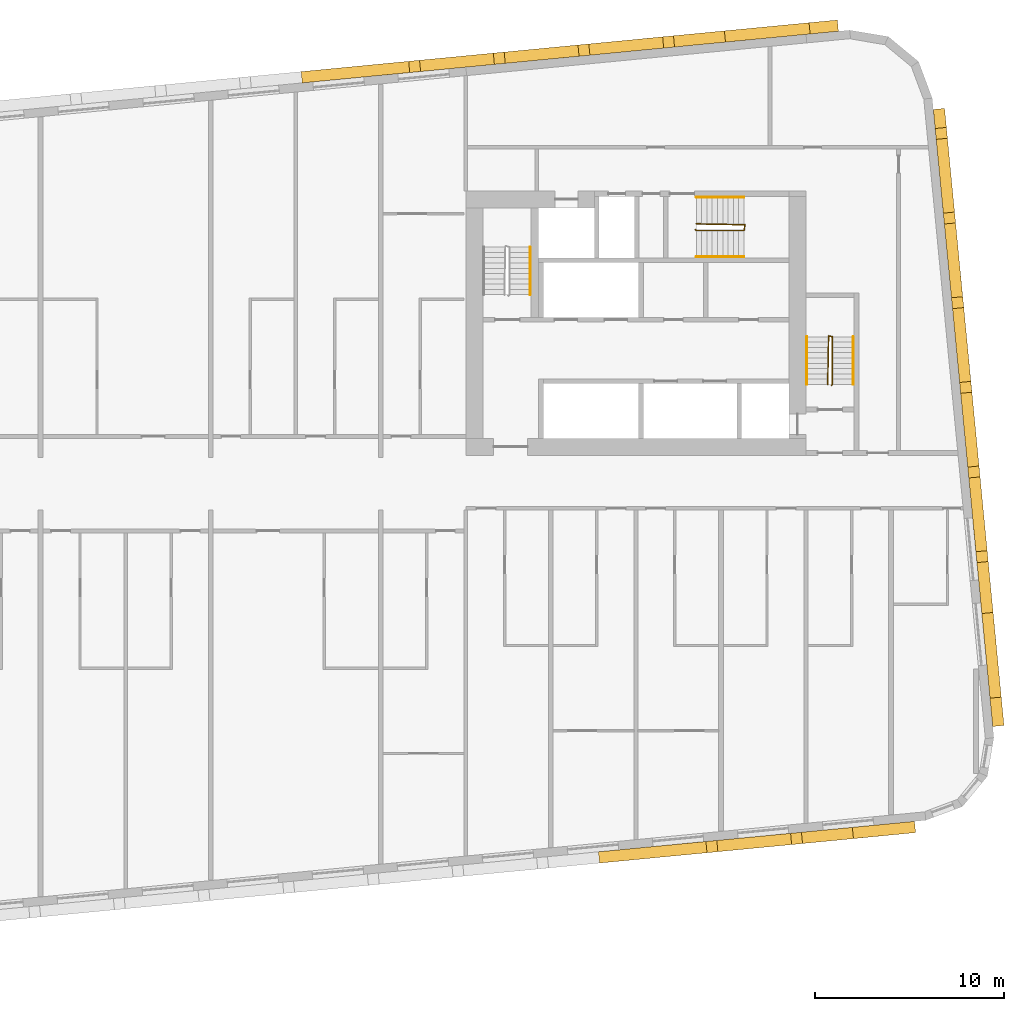
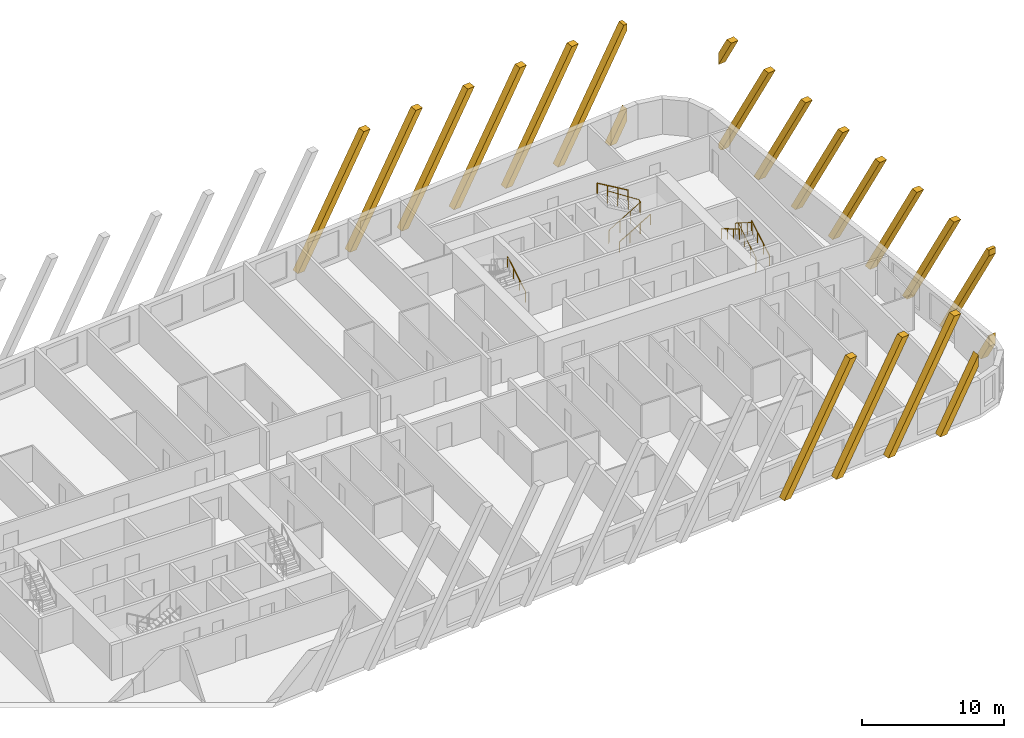
# One storey, part 13 of 13: 20 coverings, 7 railings.
"""IFC4 building model written with IfcOpenShell, lengths in metres."""

from ifc_helpers import new_model, si_unit, direction, frame, origin, origin_2d, place, context, subcontext, project, spatial, polyline, rectangle, circle, outline, extrude, material, material_profile, profile_set, type_object, element, save


model = new_model("IFC4")

# Units and contexts
model_context = context("Model", 3, precision=1e-05, world=origin(), true_north=direction((0.0, 1.0)))
body_context = subcontext(model_context, "Body", "Model", "MODEL_VIEW")
ifc_project = project(units=[si_unit("LENGTHUNIT", "METRE"), si_unit("AREAUNIT", "SQUARE_METRE"), si_unit("VOLUMEUNIT", "CUBIC_METRE"), si_unit("PLANEANGLEUNIT", "RADIAN"), si_unit("MASSUNIT", "GRAM", prefix="KILO")], contexts=[model_context])

# Site, building, storey
site_placement = place(None, origin())
site = spatial("IfcSite", under=ifc_project, at=site_placement, CompositionType="ELEMENT")
building_placement = place(site_placement, origin())
building = spatial("IfcBuilding", under=site, at=building_placement, Name="Kajstack Hotel Tower", CompositionType="ELEMENT")
storey_placement = place(building_placement, frame((0.0, 0.0, 196.60009765625)))
storey = spatial("IfcBuildingStorey", under=building, at=storey_placement, Name="L47", CompositionType="ELEMENT", Elevation=196.60009765625)

# Coverings
ifc_material_1 = material(Name="Terracotta", Category="masonry")
ifc_material_profile = material_profile(ifc_material_1, rectangle(XDim=0.60009765625, YDim=0.5, at=origin_2d()), Name="Terracotta-clad concrete baguette 500 x 600")
ifc_profile_set = profile_set([ifc_material_profile], Name="Terracotta")
covering_type = type_object("IfcCoveringType", Name="BAGUETTE 500x600", PredefinedType="CLADDING", material=ifc_profile_set)
for number, where, z_axis, x_axis, name in (
    (1, (20.515869140625, -19.477294921875, 0.0), (0.095634862357, -0.995416482233, 0.0), (0.995416482233, 0.095634862357, 0.0), "Baguette L47-04-055"),
    (2, (24.9951171875, -19.0458984375, 0.0), (0.095634862357, -0.995416482233, 0.0), (0.995416482233, 0.095634862357, 0.0), "Baguette L47-04-059"),
    (3, (29.474365234375, -18.61474609375, 0.0), (0.095634862357, -0.995416482233, 0.0), (0.995416482233, 0.095634862357, 0.0), "Baguette L47-04-063"),
):
    element("IfcCovering", number, at=place(storey_placement, frame(where, z_axis=z_axis, x_axis=x_axis)), inside=storey, type_object=covering_type, Name=name, PredefinedType="CLADDING", context=body_context, shape_type="SweptSolid", body=[
        extrude(outline(polyline([(5.7158203125, 9.89990234375), (0.0, 0.0), (0.577392578125, 0.0), (6.293212890625, 9.89990234375), (5.7158203125, 9.89990234375)])), origin(), (0.0, 0.0, 1.0), 0.599853515625),
    ])
covering_1_placement = place(storey_placement, frame((33.95361328125, -18.183349609375, 0.0), z_axis=(0.096038073607, -0.995377661201, 0.0), x_axis=(0.995377661201, 0.096038073607, 0.0)))
element("IfcCovering", 4, at=covering_1_placement, inside=storey, type_object=covering_type, Name="Baguette L47-04-067", PredefinedType="CLADDING", context=body_context, shape_type="SweptSolid", body=[
    extrude(outline(polyline([(0.577392578125, 0.0), (3.304443359375, 4.723388671875), (3.304443359375, 5.723388671875), (0.0, 0.0), (0.577392578125, 0.0)])), origin(), (0.0, 0.0, 1.0), 0.599853515625),
])
covering_2_placement = place(storey_placement, frame((41.380859375, -12.846923828125, 0.0), z_axis=(0.995377661201, 0.096038073607, 0.0), x_axis=(-0.096038073607, 0.995377661201, 0.0)))
element("IfcCovering", 5, at=covering_2_placement, inside=storey, type_object=covering_type, Name="Baguette L47-08-003", PredefinedType="CLADDING", context=body_context, shape_type="SweptSolid", body=[
    extrude(outline(polyline([(1.50439453125, 0.0), (0.0, 2.605712890625), (0.0, 1.605712890625), (0.927001953125, 0.0), (1.50439453125, 0.0)])), origin(), (0.0, 0.0, 1.0), 0.599853515625),
])
covering_3_placement = place(storey_placement, frame((41.380859375, -12.846923828125, 0.0), z_axis=(0.995377661201, 0.096038073607, 0.0), x_axis=(-0.096038073607, 0.995377661201, 0.0)))
element("IfcCovering", 6, at=covering_3_placement, inside=storey, type_object=covering_type, Name="Baguette L47-08-007", PredefinedType="CLADDING", context=body_context, shape_type="SweptSolid", body=[
    extrude(outline(polyline([(0.28857421875, 9.89990234375), (0.0, 9.89990234375), (0.0, 9.39990234375), (5.427001953125, 0.0), (6.00439453125, 0.0), (0.28857421875, 9.89990234375)])), origin(), (0.0, 0.0, 1.0), 0.599853515625),
])
covering_4_placement = place(storey_placement, frame((40.97705078125, -8.655029296875, 0.0), z_axis=(0.995381412265, 0.095999188106, 0.0), x_axis=(-0.095999188106, 0.995381412265, 0.0)))
element("IfcCovering", 7, at=covering_4_placement, inside=storey, type_object=covering_type, Name="Baguette L47-08-011", PredefinedType="CLADDING", context=body_context, shape_type="SweptSolid", body=[
    extrude(outline(polyline([(0.0, 9.89990234375), (5.7158203125, 0.0), (6.293212890625, 0.0), (0.577392578125, 9.89990234375), (0.0, 9.89990234375)])), origin(), (0.0, 0.0, 1.0), 0.60009765625),
])
covering_5_placement = place(storey_placement, frame((40.5458984375, -4.175537109375, 0.0), z_axis=(0.995416482233, 0.095634862357, 0.0), x_axis=(-0.095634862357, 0.995416482233, 0.0)))
element("IfcCovering", 8, at=covering_5_placement, inside=storey, type_object=covering_type, Name="Baguette L47-08-015", PredefinedType="CLADDING", context=body_context, shape_type="SweptSolid", body=[
    extrude(outline(polyline([(0.0, 9.89990234375), (5.7158203125, 0.0), (6.293212890625, 0.0), (0.577392578125, 9.89990234375), (0.0, 9.89990234375)])), origin(), (0.0, 0.0, 1.0), 0.599853515625),
])
covering_6_placement = place(storey_placement, frame((40.114501953125, 0.3037109375, 0.0), z_axis=(0.995420202011, 0.095596137095, 0.0), x_axis=(-0.095596137095, 0.995420202011, 0.0)))
element("IfcCovering", 9, at=covering_6_placement, inside=storey, type_object=covering_type, Name="Baguette L47-08-019", PredefinedType="CLADDING", context=body_context, shape_type="SweptSolid", body=[
    extrude(outline(polyline([(0.0, 9.89990234375), (5.7158203125, 0.0), (6.293212890625, 0.0), (0.577392578125, 9.89990234375), (0.0, 9.89990234375)])), origin(), (0.0, 0.0, 1.0), 0.60009765625),
])
for number, where, z_axis, x_axis, name in (
    (10, (39.683349609375, 4.782958984375, 0.0), (0.995416482233, 0.095634862357, 0.0), (-0.095634862357, 0.995416482233, 0.0), "Baguette L47-08-023"),
    (11, (39.251953125, 9.26220703125, 0.0), (0.995377661201, 0.096038073607, 0.0), (-0.096038073607, 0.995377661201, 0.0), "Baguette L47-08-027"),
):
    element("IfcCovering", number, at=place(storey_placement, frame(where, z_axis=z_axis, x_axis=x_axis)), inside=storey, type_object=covering_type, Name=name, PredefinedType="CLADDING", context=body_context, shape_type="SweptSolid", body=[
        extrude(outline(polyline([(0.0, 9.89990234375), (5.7158203125, 0.0), (6.293212890625, 0.0), (0.577392578125, 9.89990234375), (0.0, 9.89990234375)])), origin(), (0.0, 0.0, 1.0), 0.599853515625),
    ])
covering_7_placement = place(storey_placement, frame((38.820556640625, 13.741455078125, 0.0), z_axis=(0.995381412265, 0.095999188106, 0.0), x_axis=(-0.095999188106, 0.995381412265, 0.0)))
element("IfcCovering", 12, at=covering_7_placement, inside=storey, type_object=covering_type, Name="Baguette L47-08-031", PredefinedType="CLADDING", context=body_context, shape_type="SweptSolid", body=[
    extrude(outline(polyline([(5.7158203125, 0.0), (6.088623046875, 0.0), (6.088623046875, 0.354248046875), (0.577392578125, 9.89990234375), (0.0, 9.89990234375), (5.7158203125, 0.0)])), origin(), (0.0, 0.0, 1.0), 0.60009765625),
])
covering_8_placement = place(storey_placement, frame((38.389404296875, 18.220703125, 0.0), z_axis=(0.995377661201, 0.096038073607, 0.0), x_axis=(-0.096038073607, 0.995377661201, 0.0)))
element("IfcCovering", 13, at=covering_8_placement, inside=storey, type_object=covering_type, Name="Baguette L47-08-035", PredefinedType="CLADDING", context=body_context, shape_type="SweptSolid", body=[
    extrude(outline(polyline([(0.0, 9.89990234375), (1.588623046875, 7.1484375), (1.588623046875, 8.1484375), (0.577392578125, 9.89990234375), (0.0, 9.89990234375)])), origin(), (0.0, 0.0, 1.0), 0.599853515625),
])
covering_9_placement = place(storey_placement, frame((33.21728515625, 23.93994140625, 0.0), z_axis=(-0.095634862357, 0.995416482233, 0.0), x_axis=(-0.995416482233, -0.095634862357, 0.0)))
element("IfcCovering", 14, at=covering_9_placement, inside=storey, type_object=covering_type, Name="Baguette L47-12-003", PredefinedType="CLADDING", context=body_context, shape_type="SweptSolid", body=[
    extrude(outline(polyline([(1.50439453125, 0.0), (0.0, 2.605712890625), (0.0, 1.605712890625), (0.927001953125, 0.0), (1.50439453125, 0.0)])), origin(), (0.0, 0.0, 1.0), 0.599853515625),
])
covering_10_placement = place(storey_placement, frame((33.21728515625, 23.93994140625, 0.0), z_axis=(-0.095634862357, 0.995416482233, 0.0), x_axis=(-0.995416482233, -0.095634862357, 0.0)))
element("IfcCovering", 15, at=covering_10_placement, inside=storey, type_object=covering_type, Name="Baguette L47-12-007", PredefinedType="CLADDING", context=body_context, shape_type="SweptSolid", body=[
    extrude(outline(polyline([(0.28857421875, 9.89990234375), (0.0, 9.89990234375), (0.0, 9.39990234375), (5.427001953125, 0.0), (6.00439453125, 0.0), (0.28857421875, 9.89990234375)])), origin(), (0.0, 0.0, 1.0), 0.599853515625),
])
covering_11_placement = place(storey_placement, frame((29.025390625, 23.536376953125, 0.0), z_axis=(-0.095634862357, 0.995416482233, 0.0), x_axis=(-0.995416482233, -0.095634862357, 0.0)))
element("IfcCovering", 16, at=covering_11_placement, inside=storey, type_object=covering_type, Name="Baguette L47-12-011", PredefinedType="CLADDING", context=body_context, shape_type="SweptSolid", body=[
    extrude(outline(polyline([(0.0, 9.89990234375), (5.7158203125, 0.0), (6.293212890625, 0.0), (0.577392578125, 9.89990234375), (0.0, 9.89990234375)])), origin(), (0.0, 0.0, 1.0), 0.599853515625),
])
covering_12_placement = place(storey_placement, frame((24.546142578125, 23.10498046875, 0.0), z_axis=(-0.095999188106, 0.995381412265, 0.0), x_axis=(-0.995381412265, -0.095999188106, 0.0)))
element("IfcCovering", 17, at=covering_12_placement, inside=storey, type_object=covering_type, Name="Baguette L47-12-015", PredefinedType="CLADDING", context=body_context, shape_type="SweptSolid", body=[
    extrude(outline(polyline([(0.0, 9.89990234375), (5.7158203125, 0.0), (6.293212890625, 0.0), (0.577392578125, 9.89990234375), (0.0, 9.89990234375)])), origin(), (0.0, 0.0, 1.0), 0.60009765625),
])
for number, where, z_axis, x_axis, name in (
    (18, (20.06689453125, 22.673828125, 0.0), (-0.096038073607, 0.995377661201, 0.0), (-0.995377661201, -0.096038073607, 0.0), "Baguette L47-12-019"),
    (19, (15.587646484375, 22.242431640625, 0.0), (-0.096038073607, 0.995377661201, 0.0), (-0.995377661201, -0.096038073607, 0.0), "Baguette L47-12-023"),
):
    element("IfcCovering", number, at=place(storey_placement, frame(where, z_axis=z_axis, x_axis=x_axis)), inside=storey, type_object=covering_type, Name=name, PredefinedType="CLADDING", context=body_context, shape_type="SweptSolid", body=[
        extrude(outline(polyline([(0.0, 9.89990234375), (5.7158203125, 0.0), (6.293212890625, 0.0), (0.577392578125, 9.89990234375), (0.0, 9.89990234375)])), origin(), (0.0, 0.0, 1.0), 0.599853515625),
    ])
covering_13_placement = place(storey_placement, frame((11.1083984375, 21.81103515625, 0.0), z_axis=(-0.095999188106, 0.995381412265, 0.0), x_axis=(-0.995381412265, -0.095999188106, 0.0)))
element("IfcCovering", 20, at=covering_13_placement, inside=storey, type_object=covering_type, Name="Baguette L47-12-027", PredefinedType="CLADDING", context=body_context, shape_type="SweptSolid", body=[
    extrude(outline(polyline([(0.0, 9.89990234375), (5.7158203125, 0.0), (6.293212890625, 0.0), (0.577392578125, 9.89990234375), (0.0, 9.89990234375)])), origin(), (0.0, 0.0, 1.0), 0.60009765625),
])

# Railings
ifc_material_2 = material(Name="Steel S355J2", Category="steel")
railing_type_1 = type_object("IfcRailingType", Name="Stair guard 1100", PredefinedType="GUARDRAIL", material=ifc_material_2)
railing_1_placement = place(storey_placement, frame((32.85009765625, 5.199951171875, 0.0)))
element("IfcRailing", 21, at=railing_1_placement, inside=storey, type_object=railing_type_1, Name="L47 E1 stair guard 1", PredefinedType="GUARDRAIL", context=body_context, shape_type="SweptSolid", body=[
    extrude(circle(Radius=0.02392578125, at=origin_2d()), frame((0.0, 0.0, 1.076171875), z_axis=(0.277797701265, 0.279159454702, 0.919183570361), x_axis=(-0.708833529934, 0.705375805398, 0.0)), (0.0, 0.0, 1.0), 0.17919921875),
    extrude(circle(Radius=0.02392578125, at=origin_2d()), frame((0.0498046875, 0.050048828125, 1.24072265625), z_axis=(0.0, 0.86152411907, 0.507716645641), x_axis=(-1.0, 0.0, 0.0)), (0.0, 0.0, 1.0), 2.925048828125),
    extrude(circle(Radius=0.02392578125, at=origin_2d()), frame((0.0498046875, 2.570068359375, 2.72607421875), z_axis=(-0.970072785993, 0.242814311512, 0.0), x_axis=(-0.242814311512, -0.970072785993, 0.0)), (0.0, 0.0, 1.0), 0.2060546875),
    extrude(circle(Radius=0.02392578125, at=origin_2d()), frame((-0.150146484375, 2.6201171875, 2.72607421875), z_axis=(-0.016385308676, -0.841405582595, 0.540155687962), x_axis=(0.999810440751, -0.019470042781, 0.0)), (0.0, 0.0, 1.0), 3.054443359375),
    extrude(circle(Radius=0.02099609375, at=origin_2d()), origin(), (0.0, 0.0, 1.0), 1.052001953125),
    extrude(circle(Radius=0.02099609375, at=origin_2d()), frame((0.0498046875, 0.050048828125, 0.164794921875)), (0.0, 0.0, 1.0), 1.052001953125),
    extrude(circle(Radius=0.02099609375, at=origin_2d()), frame((0.0498046875, 0.89013671875, 0.659912109375)), (0.0, 0.0, 1.0), 1.052001953125),
    extrude(circle(Radius=0.02099609375, at=origin_2d()), frame((0.0498046875, 1.72998046875, 1.15478515625)), (0.0, 0.0, 1.0), 1.052001953125),
    extrude(circle(Radius=0.02099609375, at=origin_2d()), frame((0.0498046875, 2.570068359375, 1.64990234375)), (0.0, 0.0, 1.0), 1.052001953125),
    extrude(circle(Radius=0.02099609375, at=origin_2d()), frame((-0.150146484375, 2.6201171875, 1.64990234375)), (0.0, 0.0, 1.0), 1.052001953125),
    extrude(circle(Radius=0.02099609375, at=origin_2d()), frame((-0.166748046875, 1.763427734375, 2.199951171875)), (0.0, 0.0, 1.0), 1.052001953125),
    extrude(circle(Radius=0.02099609375, at=origin_2d()), frame((-0.18359375, 0.90673828125, 2.749755859375)), (0.0, 0.0, 1.0), 1.052001953125),
    extrude(circle(Radius=0.02099609375, at=origin_2d()), frame((-0.2001953125, 0.050048828125, 3.2998046875)), (0.0, 0.0, 1.0), 1.052001953125),
])
railing_2_placement = place(storey_placement, frame((25.64990234375, 13.449951171875, 0.0)))
element("IfcRailing", 22, at=railing_2_placement, inside=storey, type_object=railing_type_1, Name="L47 E3 stair guard 1", PredefinedType="GUARDRAIL", context=body_context, shape_type="SweptSolid", body=[
    extrude(circle(Radius=0.02392578125, at=origin_2d()), frame((0.0, 0.0, 1.076171875), z_axis=(0.279053652268, -0.279053652268, 0.918835196492), x_axis=(0.707106781187, 0.707106781187, 0.0)), (0.0, 0.0, 1.0), 0.179443359375),
    extrude(circle(Radius=0.02392578125, at=origin_2d()), frame((0.050048828125, -0.050048828125, 1.24072265625), z_axis=(0.86152411907, 0.0, 0.507716645641), x_axis=(0.0, 1.0, 0.0)), (0.0, 0.0, 1.0), 2.925048828125),
    extrude(circle(Radius=0.02392578125, at=origin_2d()), frame((2.570068359375, -0.050048828125, 2.72607421875), z_axis=(0.164529134168, 0.986372223864, 0.0), x_axis=(-0.986372223864, 0.164529134168, 0.0)), (0.0, 0.0, 1.0), 0.30419921875),
    extrude(circle(Radius=0.02392578125, at=origin_2d()), frame((2.6201171875, 0.25, 2.72607421875), z_axis=(-0.841405582595, 0.016385308676, 0.540155687962), x_axis=(-0.019470042781, -0.999810440751, 0.0)), (0.0, 0.0, 1.0), 3.054443359375),
    extrude(circle(Radius=0.02099609375, at=origin_2d()), origin(), (0.0, 0.0, 1.0), 1.052001953125),
    extrude(circle(Radius=0.02099609375, at=origin_2d()), frame((0.050048828125, -0.050048828125, 0.164794921875)), (0.0, 0.0, 1.0), 1.052001953125),
    extrude(circle(Radius=0.02099609375, at=origin_2d()), frame((0.89013671875, -0.050048828125, 0.659912109375)), (0.0, 0.0, 1.0), 1.052001953125),
    extrude(circle(Radius=0.02099609375, at=origin_2d()), frame((1.72998046875, -0.050048828125, 1.15478515625)), (0.0, 0.0, 1.0), 1.052001953125),
    extrude(circle(Radius=0.02099609375, at=origin_2d()), frame((2.570068359375, -0.050048828125, 1.64990234375)), (0.0, 0.0, 1.0), 1.052001953125),
    extrude(circle(Radius=0.02099609375, at=origin_2d()), frame((2.6201171875, 0.25, 1.64990234375)), (0.0, 0.0, 1.0), 1.052001953125),
    extrude(circle(Radius=0.02099609375, at=origin_2d()), frame((1.763427734375, 0.2666015625, 2.199951171875)), (0.0, 0.0, 1.0), 1.052001953125),
    extrude(circle(Radius=0.02099609375, at=origin_2d()), frame((0.90673828125, 0.283447265625, 2.749755859375)), (0.0, 0.0, 1.0), 1.052001953125),
    extrude(circle(Radius=0.02099609375, at=origin_2d()), frame((0.050048828125, 0.300048828125, 3.2998046875)), (0.0, 0.0, 1.0), 1.052001953125),
])
railing_type_2 = type_object("IfcRailingType", Name="Stair handrail 900", PredefinedType="HANDRAIL", material=ifc_material_2)
railing_3_placement = place(storey_placement, frame((34.0, 5.25, 0.164794921875)))
element("IfcRailing", 23, at=railing_3_placement, inside=storey, type_object=railing_type_2, Name="L47 E1 stair handrail 1", PredefinedType="HANDRAIL", context=body_context, shape_type="SweptSolid", body=[
    extrude(circle(Radius=0.02392578125, at=origin_2d()), frame((0.0, 0.0, 0.8759765625), z_axis=(0.0, 0.86152411907, 0.507716645641), x_axis=(-1.0, 0.0, 0.0)), (0.0, 0.0, 1.0), 2.925048828125),
    extrude(circle(Radius=0.02099609375, at=origin_2d()), origin(), (0.0, 0.0, 1.0), 0.851806640625),
    extrude(circle(Radius=0.02099609375, at=origin_2d()), frame((0.0, 0.840087890625, 0.4951171875)), (0.0, 0.0, 1.0), 0.851806640625),
    extrude(circle(Radius=0.02099609375, at=origin_2d()), frame((0.0, 1.679931640625, 0.989990234375)), (0.0, 0.0, 1.0), 0.851806640625),
    extrude(circle(Radius=0.02099609375, at=origin_2d()), frame((0.0, 2.52001953125, 1.485107421875)), (0.0, 0.0, 1.0), 0.851806640625),
])
railing_4_placement = place(storey_placement, frame((31.550048828125, 7.77001953125, 1.81494140625)))
element("IfcRailing", 24, at=railing_4_placement, inside=storey, type_object=railing_type_2, Name="L47 E1 stair handrail 2", PredefinedType="HANDRAIL", context=body_context, shape_type="SweptSolid", body=[
    extrude(circle(Radius=0.02392578125, at=origin_2d()), frame((0.0, 0.0, 0.8759765625), z_axis=(0.0, -0.861560626758, 0.507654692109), x_axis=(1.0, 0.0, 0.0)), (0.0, 0.0, 1.0), 2.925048828125),
    extrude(circle(Radius=0.02099609375, at=origin_2d()), origin(), (0.0, 0.0, 1.0), 0.851806640625),
    extrude(circle(Radius=0.02099609375, at=origin_2d()), frame((0.0, -0.840087890625, 0.494873046875)), (0.0, 0.0, 1.0), 0.851806640625),
    extrude(circle(Radius=0.02099609375, at=origin_2d()), frame((0.0, -1.679931640625, 0.989990234375)), (0.0, 0.0, 1.0), 0.851806640625),
    extrude(circle(Radius=0.02099609375, at=origin_2d()), frame((0.0, -2.52001953125, 1.48486328125)), (0.0, 0.0, 1.0), 0.851806640625),
])
railing_5_placement = place(storey_placement, frame((16.89990234375, 10.0, 0.164794921875)))
element("IfcRailing", 25, at=railing_5_placement, inside=storey, type_object=railing_type_2, Name="L47 E2 stair handrail 1", PredefinedType="HANDRAIL", context=body_context, shape_type="SweptSolid", body=[
    extrude(circle(Radius=0.02392578125, at=origin_2d()), frame((0.0, 0.0, 0.8759765625), z_axis=(0.0, 0.86152411907, 0.507716645641), x_axis=(-1.0, 0.0, 0.0)), (0.0, 0.0, 1.0), 2.925048828125),
    extrude(circle(Radius=0.02099609375, at=origin_2d()), origin(), (0.0, 0.0, 1.0), 0.851806640625),
    extrude(circle(Radius=0.02099609375, at=origin_2d()), frame((0.0, 0.840087890625, 0.4951171875)), (0.0, 0.0, 1.0), 0.851806640625),
    extrude(circle(Radius=0.02099609375, at=origin_2d()), frame((0.0, 1.679931640625, 0.989990234375)), (0.0, 0.0, 1.0), 0.851806640625),
    extrude(circle(Radius=0.02099609375, at=origin_2d()), frame((0.0, 2.52001953125, 1.485107421875)), (0.0, 0.0, 1.0), 0.851806640625),
])
railing_6_placement = place(storey_placement, frame((25.699951171875, 12.0, 0.164794921875)))
element("IfcRailing", 26, at=railing_6_placement, inside=storey, type_object=railing_type_2, Name="L47 E3 stair handrail 1", PredefinedType="HANDRAIL", context=body_context, shape_type="SweptSolid", body=[
    extrude(circle(Radius=0.02392578125, at=origin_2d()), frame((0.0, 0.0, 0.8759765625), z_axis=(0.86152411907, 0.0, 0.507716645641), x_axis=(0.0, 1.0, 0.0)), (0.0, 0.0, 1.0), 2.925048828125),
    extrude(circle(Radius=0.02099609375, at=origin_2d()), origin(), (0.0, 0.0, 1.0), 0.851806640625),
    extrude(circle(Radius=0.02099609375, at=origin_2d()), frame((0.840087890625, 0.0, 0.4951171875)), (0.0, 0.0, 1.0), 0.851806640625),
    extrude(circle(Radius=0.02099609375, at=origin_2d()), frame((1.679931640625, 0.0, 0.989990234375)), (0.0, 0.0, 1.0), 0.851806640625),
    extrude(circle(Radius=0.02099609375, at=origin_2d()), frame((2.52001953125, 0.0, 1.485107421875)), (0.0, 0.0, 1.0), 0.851806640625),
])
railing_7_placement = place(storey_placement, frame((28.219970703125, 15.14990234375, 1.81494140625)))
element("IfcRailing", 27, at=railing_7_placement, inside=storey, type_object=railing_type_2, Name="L47 E3 stair handrail 2", PredefinedType="HANDRAIL", context=body_context, shape_type="SweptSolid", body=[
    extrude(circle(Radius=0.02392578125, at=origin_2d()), frame((0.0, 0.0, 0.8759765625), z_axis=(-0.861560626758, 0.0, 0.507654692109), x_axis=(0.0, -1.0, 0.0)), (0.0, 0.0, 1.0), 2.925048828125),
    extrude(circle(Radius=0.02099609375, at=origin_2d()), origin(), (0.0, 0.0, 1.0), 0.851806640625),
    extrude(circle(Radius=0.02099609375, at=origin_2d()), frame((-0.840087890625, 0.0, 0.494873046875)), (0.0, 0.0, 1.0), 0.851806640625),
    extrude(circle(Radius=0.02099609375, at=origin_2d()), frame((-1.679931640625, 0.0, 0.989990234375)), (0.0, 0.0, 1.0), 0.851806640625),
    extrude(circle(Radius=0.02099609375, at=origin_2d()), frame((-2.52001953125, 0.0, 1.48486328125)), (0.0, 0.0, 1.0), 0.851806640625),
])

save(model, "model.ifc")
